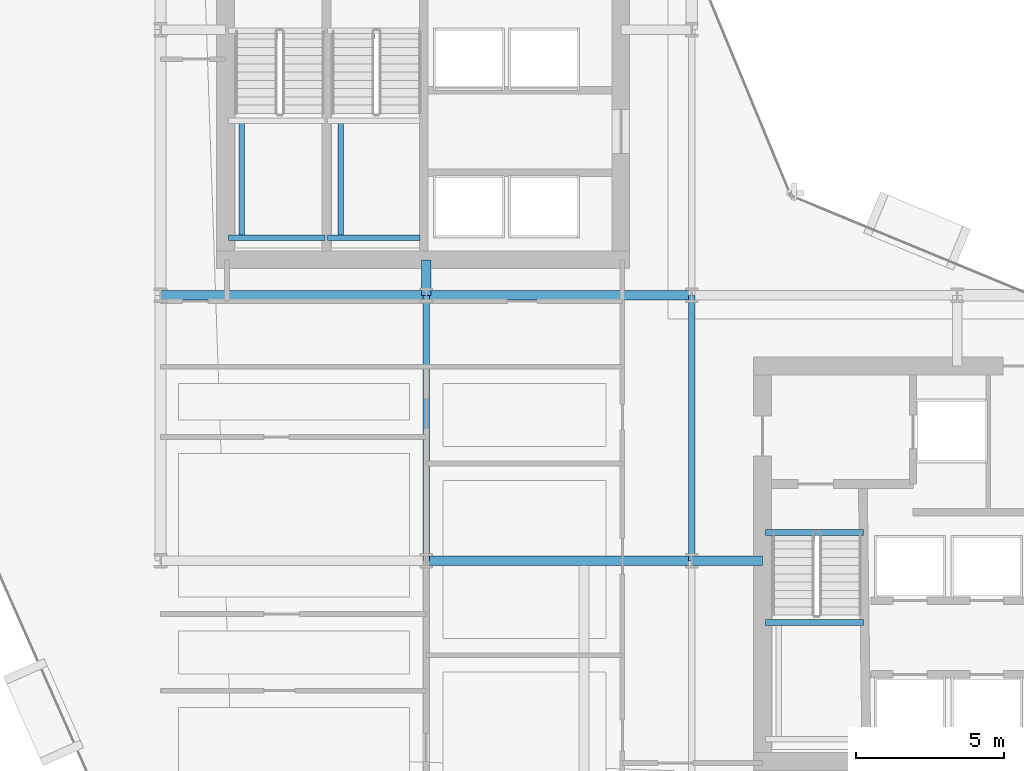
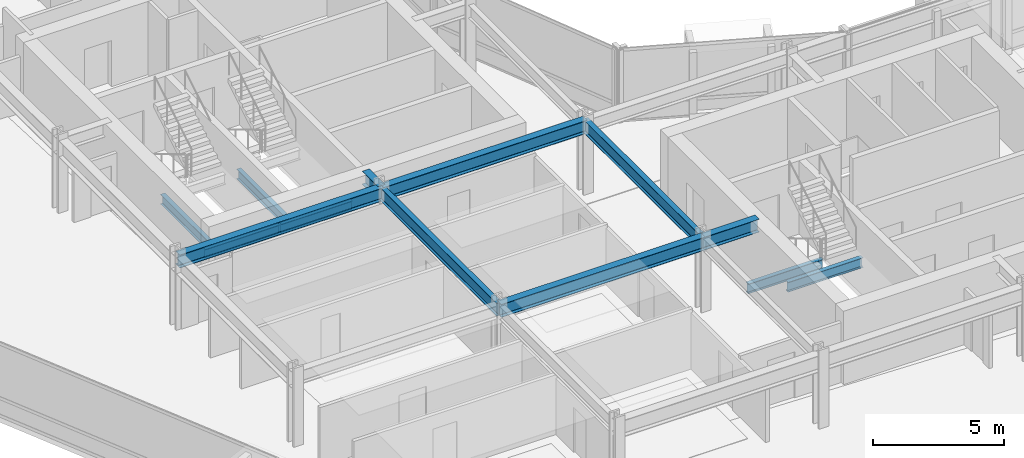
# One storey, part 7 of 34: 13 beams.
"""IFC4 building model written with IfcOpenShell, lengths in metres."""

from ifc_helpers import new_model, si_unit, direction, frame, origin, origin_2d, place, context, subcontext, project, spatial, i_section, extrude, material, material_profile, profile_set, type_object, element, save


model = new_model("IFC4")

# Units and contexts
model_context = context("Model", 3, precision=1e-05, world=origin(), true_north=direction((0.0, 1.0)))
body_context = subcontext(model_context, "Body", "Model", "MODEL_VIEW")
ifc_project = project(units=[si_unit("LENGTHUNIT", "METRE"), si_unit("AREAUNIT", "SQUARE_METRE"), si_unit("VOLUMEUNIT", "CUBIC_METRE"), si_unit("PLANEANGLEUNIT", "RADIAN"), si_unit("MASSUNIT", "GRAM", prefix="KILO")], contexts=[model_context])

# Site, building, storey
site_placement = place(None, origin())
site = spatial("IfcSite", under=ifc_project, at=site_placement, CompositionType="ELEMENT")
building_placement = place(site_placement, origin())
building = spatial("IfcBuilding", under=site, at=building_placement, Name="Solvaryn Broadcast Tower", CompositionType="ELEMENT")
storey_placement = place(building_placement, frame((0.0, 0.0, 36.0)))
storey = spatial("IfcBuildingStorey", under=building, at=storey_placement, Name="L07", CompositionType="ELEMENT", Elevation=36.0)

# Beams
ifc_material_1 = material(Name="Steel ASTM A992 Grade 50", Category="steel")
ifc_material_profile_1 = material_profile(ifc_material_1, i_section(OverallWidth=0.323974609375, OverallDepth=0.611083984375, WebThickness=0.0126953125, FlangeThickness=0.01904296875, FilletRadius=0.014892578125, at=origin_2d()))
ifc_profile_set_1 = profile_set([ifc_material_profile_1], Name="Steel ASTM A992 Grade 50")
beam_type_1 = type_object("IfcBeamType", Name="BM-B1-W24X104", PredefinedType="BEAM", material=ifc_profile_set_1)
for number, where, z_axis, x_axis, name in (
    (1, (18.0, 18.0, 3.114501953125), (1.0, 0.0, 0.0), (0.0, 1.0, 0.0), "L07 Primary Beam X (18-27 @ Y=18)"),
    (2, (9.0, 27.0, 3.114501953125), (1.0, 0.0, 0.0), (0.0, 1.0, 0.0), "L07 Primary Beam X (9-18 @ Y=27)"),
    (3, (18.0, 27.0, 3.114501953125), (1.0, 0.0, 0.0), (0.0, 1.0, 0.0), "L07 Primary Beam X (18-27 @ Y=27)"),
):
    element("IfcBeam", number, at=place(storey_placement, frame(where, z_axis=z_axis, x_axis=x_axis)), inside=storey, type_object=beam_type_1, Name=name, PredefinedType="BEAM", context=body_context, shape_type="SweptSolid", body=[
        extrude(i_section(OverallWidth=0.323974609375, OverallDepth=0.611083984375, WebThickness=0.0126953125, FlangeThickness=0.01904296875, FilletRadius=0.014892578125, at=origin_2d()), origin(), (0.0, 0.0, 1.0), 9.0),
    ])
beam_1_placement = place(storey_placement, frame((18.0, 27.0, 3.114501953125), z_axis=(0.0, 1.0, 0.0), x_axis=(-1.0, 0.0, 0.0)))
element("IfcBeam", 4, at=beam_1_placement, inside=storey, type_object=beam_type_1, Name="L07 Core Tie Beam CTW4", PredefinedType="BEAM", context=body_context, shape_type="SweptSolid", body=[
    extrude(i_section(OverallWidth=0.323974609375, OverallDepth=0.611083984375, WebThickness=0.0126953125, FlangeThickness=0.01904296875, FilletRadius=0.014892578125, at=origin_2d()), origin(), (0.0, 0.0, 1.0), 1.199951171875),
])
beam_2_placement = place(storey_placement, frame((27.0, 18.0, 3.114501953125), z_axis=(1.0, 0.0, 0.0), x_axis=(0.0, 1.0, 0.0)))
element("IfcBeam", 5, at=beam_2_placement, inside=storey, type_object=beam_type_1, Name="L07 Core Tie Beam CTE4", PredefinedType="BEAM", context=body_context, shape_type="SweptSolid", body=[
    extrude(i_section(OverallWidth=0.323974609375, OverallDepth=0.611083984375, WebThickness=0.0126953125, FlangeThickness=0.01904296875, FilletRadius=0.014892578125, at=origin_2d()), origin(), (0.0, 0.0, 1.0), 2.39990234375),
])
ifc_material_2 = material(Name="Steel ASTM A992 Grade 50", Category="steel")
ifc_material_profile_2 = material_profile(ifc_material_2, i_section(OverallWidth=0.22802734375, OverallDepth=0.60791015625, WebThickness=0.01123046875, FlangeThickness=0.017333984375, FilletRadius=0.014892578125, at=origin_2d()))
ifc_profile_set_2 = profile_set([ifc_material_profile_2], Name="Steel ASTM A992 Grade 50")
beam_type_2 = type_object("IfcBeamType", Name="BM-B2-W24X76", PredefinedType="BEAM", material=ifc_profile_set_2)
for number, where, z_axis, x_axis, name in (
    (6, (18.0, 18.0, 3.115966796875), (0.0, 1.0, 0.0), (-1.0, 0.0, 0.0), "L07 Primary Beam Y (18-27 @ X=18)"),
    (7, (27.0, 18.0, 3.115966796875), (0.0, 1.0, 0.0), (-1.0, 0.0, 0.0), "L07 Primary Beam Y (18-27 @ X=27)"),
):
    element("IfcBeam", number, at=place(storey_placement, frame(where, z_axis=z_axis, x_axis=x_axis)), inside=storey, type_object=beam_type_2, Name=name, PredefinedType="BEAM", context=body_context, shape_type="SweptSolid", body=[
        extrude(i_section(OverallWidth=0.22802734375, OverallDepth=0.60791015625, WebThickness=0.01123046875, FlangeThickness=0.017333984375, FilletRadius=0.014892578125, at=origin_2d()), origin(), (0.0, 0.0, 1.0), 9.0),
    ])
ifc_material_3 = material(Name="Steel ASTM A992 Grade 50", Category="steel")
ifc_material_profile_3 = material_profile(ifc_material_3, i_section(OverallWidth=0.18994140625, OverallDepth=0.45703125, WebThickness=0.009033203125, FlangeThickness=0.014404296875, FilletRadius=0.011962890625, at=origin_2d()))
ifc_profile_set_3 = profile_set([ifc_material_profile_3], Name="Steel ASTM A992 Grade 50")
beam_type_3 = type_object("IfcBeamType", Name="BM-B4-W18X50", PredefinedType="BEAM", material=ifc_profile_set_3)
beam_3_placement = place(storey_placement, frame((11.300048828125, 28.949951171875, 1.42138671875), z_axis=(1.0, 0.0, 0.0), x_axis=(0.0, 1.0, 0.0)))
element("IfcBeam", 8, at=beam_3_placement, inside=storey, type_object=beam_type_3, Name="L07 ST1 Landing Support Beam 1A", PredefinedType="BEAM", context=body_context, shape_type="SweptSolid", body=[
    extrude(i_section(OverallWidth=0.18994140625, OverallDepth=0.45703125, WebThickness=0.009033203125, FlangeThickness=0.014404296875, FilletRadius=0.011962890625, at=origin_2d()), origin(), (0.0, 0.0, 1.0), 3.280029296875),
])
beam_4_placement = place(storey_placement, frame((11.75, 28.949951171875, 1.42138671875), z_axis=(0.0, 1.0, 0.0), x_axis=(-1.0, 0.0, 0.0)))
element("IfcBeam", 9, at=beam_4_placement, inside=storey, type_object=beam_type_3, Name="L07 ST1 Landing Cross Stringer 1C", PredefinedType="BEAM", context=body_context, shape_type="SweptSolid", body=[
    extrude(i_section(OverallWidth=0.18994140625, OverallDepth=0.45703125, WebThickness=0.009033203125, FlangeThickness=0.014404296875, FilletRadius=0.011962890625, at=origin_2d()), origin(), (0.0, 0.0, 1.0), 3.9599609375),
])
beam_5_placement = place(storey_placement, frame((14.659912109375, 28.949951171875, 1.42138671875), z_axis=(1.0, 0.0, 0.0), x_axis=(0.0, 1.0, 0.0)))
element("IfcBeam", 10, at=beam_5_placement, inside=storey, type_object=beam_type_3, Name="L07 ST2 Landing Support Beam 1A", PredefinedType="BEAM", context=body_context, shape_type="SweptSolid", body=[
    extrude(i_section(OverallWidth=0.18994140625, OverallDepth=0.45703125, WebThickness=0.009033203125, FlangeThickness=0.014404296875, FilletRadius=0.011962890625, at=origin_2d()), origin(), (0.0, 0.0, 1.0), 3.14013671875),
])
beam_6_placement = place(storey_placement, frame((15.110107421875, 28.949951171875, 1.42138671875), z_axis=(0.0, 1.0, 0.0), x_axis=(-1.0, 0.0, 0.0)))
element("IfcBeam", 11, at=beam_6_placement, inside=storey, type_object=beam_type_3, Name="L07 ST2 Landing Cross Stringer 1C", PredefinedType="BEAM", context=body_context, shape_type="SweptSolid", body=[
    extrude(i_section(OverallWidth=0.18994140625, OverallDepth=0.45703125, WebThickness=0.009033203125, FlangeThickness=0.014404296875, FilletRadius=0.011962890625, at=origin_2d()), origin(), (0.0, 0.0, 1.0), 3.9599609375),
])
for number, where, z_axis, x_axis, name in (
    (12, (29.5, 18.9599609375, -0.508544921875), (1.0, 0.0, 0.0), (0.0, 1.0, 0.0), "L07 ST3 Stair Well Trimmer Beam"),
    (13, (29.5, 15.909912109375, 1.42138671875), (1.0, 0.0, 0.0), (0.0, 1.0, 0.0), "L07 ST3 Landing Support Beam 1B"),
):
    element("IfcBeam", number, at=place(storey_placement, frame(where, z_axis=z_axis, x_axis=x_axis)), inside=storey, type_object=beam_type_3, Name=name, PredefinedType="BEAM", context=body_context, shape_type="SweptSolid", body=[
        extrude(i_section(OverallWidth=0.18994140625, OverallDepth=0.45703125, WebThickness=0.009033203125, FlangeThickness=0.014404296875, FilletRadius=0.011962890625, at=origin_2d()), origin(), (0.0, 0.0, 1.0), 3.320068359375),
    ])

save(model, "model.ifc")
